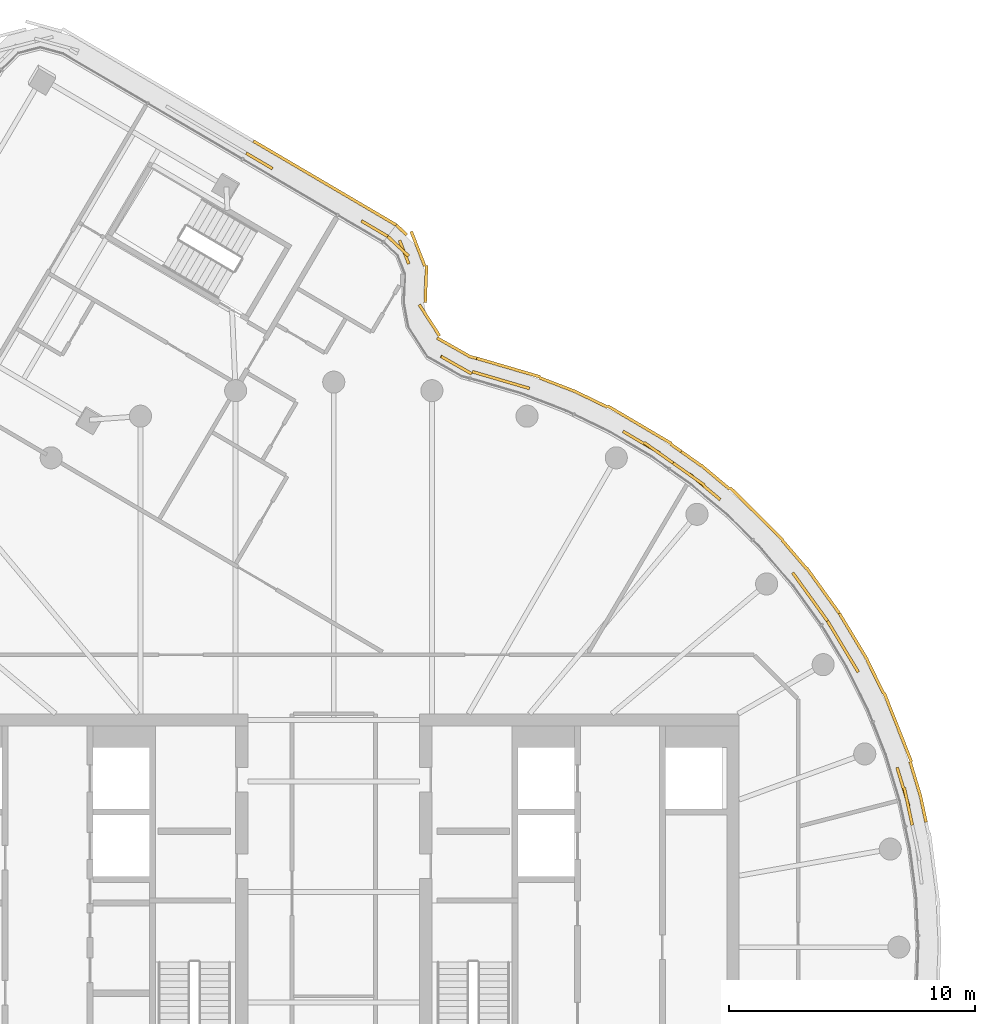
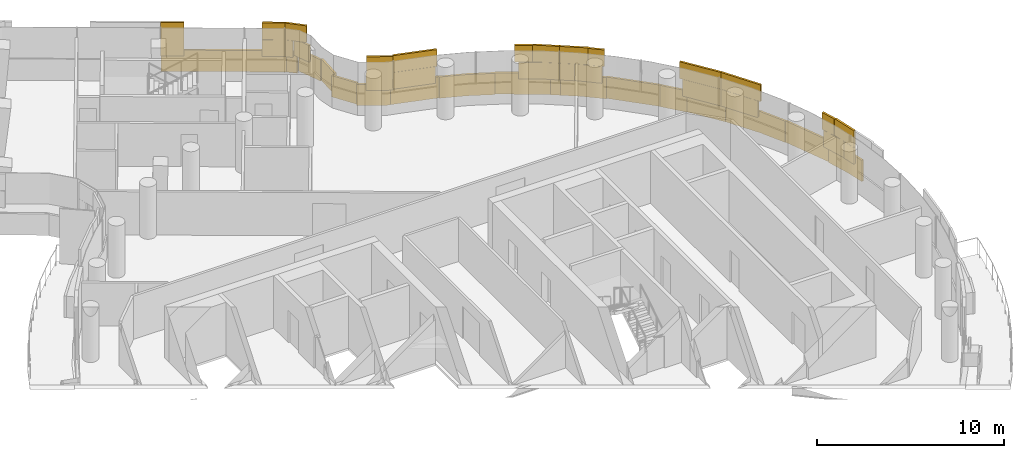
# One storey, part 25 of 26: 5 coverings.
"""IFC4 building model written with IfcOpenShell, lengths in metres."""

from ifc_helpers import new_model, si_unit, direction, frame, origin, origin_2d, place, context, subcontext, project, spatial, rectangle, extrude, material, layer, layer_set, type_object, element, save


model = new_model("IFC4")

# Units and contexts
model_context = context("Model", 3, precision=1e-05, world=origin(), true_north=direction((0.0, 1.0)))
body_context = subcontext(model_context, "Body", "Model", "MODEL_VIEW")
ifc_project = project(units=[si_unit("LENGTHUNIT", "METRE"), si_unit("AREAUNIT", "SQUARE_METRE"), si_unit("VOLUMEUNIT", "CUBIC_METRE"), si_unit("PLANEANGLEUNIT", "RADIAN"), si_unit("MASSUNIT", "GRAM", prefix="KILO")], contexts=[model_context])

# Site, building, storey
site_placement = place(None, origin())
site = spatial("IfcSite", under=ifc_project, at=site_placement, CompositionType="ELEMENT")
building_placement = place(site_placement, origin())
building = spatial("IfcBuilding", under=site, at=building_placement, Name="Tamarind Cross Interchange Tower", CompositionType="ELEMENT")
storey_placement = place(building_placement, frame((0.0, 0.0, 248.699951171875)))
storey = spatial("IfcBuildingStorey", under=building, at=storey_placement, Name="L63", CompositionType="ELEMENT", Elevation=248.699951171875)

# Coverings
ifc_material = material(Name="Terracotta", Category="masonry")
ifc_layer = layer(ifc_material, 0.1201171875)
ifc_layer_set = layer_set([ifc_layer], Name="Terracotta")
covering_type = type_object("IfcCoveringType", Name="Terracotta baguette screen unit", PredefinedType="MOLDING", material=ifc_layer_set)
covering_1_placement = place(storey_placement, origin())
element("IfcCovering", 1, at=covering_1_placement, inside=storey, type_object=covering_type, Name="SCR-L63-01-08", PredefinedType="MOLDING", context=body_context, shape_type="SweptSolid", body=[
    extrude(rectangle(XDim=0.79833984375, YDim=0.1201171875, at=origin_2d()), frame((23.464111328125, 5.356201171875, 1.40380859375), z_axis=(0.0, 0.0, 1.0), x_axis=(-0.209425419705, 0.977824623121, 0.0)), (0.0, 0.0, 1.0), 1.092041015625),
    extrude(rectangle(XDim=1.52001953125, YDim=0.1201171875, at=origin_2d()), frame((23.186767578125, 6.465087890625, 1.40380859375), z_axis=(0.0, 0.0, 1.0), x_axis=(-0.289458243079, 0.957190642199, 0.0)), (0.0, 0.0, 1.0), 1.092041015625),
    extrude(rectangle(XDim=1.52001953125, YDim=0.1201171875, at=origin_2d()), frame((20.875732421875, 11.983154296875, 1.40380859375), z_axis=(0.0, 0.0, 1.0), x_axis=(-0.515577308909, 0.856843065292, 0.0)), (0.0, 0.0, 1.0), 1.092041015625),
    extrude(rectangle(XDim=0.764404296875, YDim=0.1201171875, at=origin_2d()), frame((20.29443359375, 12.948974609375, 1.40380859375), z_axis=(0.0, 0.0, 1.0), x_axis=(-0.515577308909, 0.856843065292, 0.0)), (0.0, 0.0, 1.0), 1.092041015625),
    extrude(rectangle(XDim=0.04833984375, YDim=0.1201171875, at=origin_2d()), frame((23.54248046875, 4.989501953125, 2.50390625), z_axis=(0.0, 0.0, 1.0), x_axis=(-0.209425419705, 0.977824623121, 0.0)), (0.0, 0.0, 1.0), 1.092041015625),
    extrude(rectangle(XDim=1.52001953125, YDim=0.1201171875, at=origin_2d()), frame((23.381591796875, 5.741455078125, 2.50390625), z_axis=(0.0, 0.0, 1.0), x_axis=(-0.209425419705, 0.977824623121, 0.0)), (0.0, 0.0, 1.0), 1.092041015625),
    extrude(rectangle(XDim=0.89306640625, YDim=0.1201171875, at=origin_2d()), frame((23.058837890625, 6.887939453125, 2.50390625), z_axis=(0.0, 0.0, 1.0), x_axis=(-0.289458243079, 0.957190642199, 0.0)), (0.0, 0.0, 1.0), 1.092041015625),
    extrude(rectangle(XDim=0.927001953125, YDim=0.1201171875, at=origin_2d()), frame((21.112060546875, 11.59033203125, 2.50390625), z_axis=(0.0, 0.0, 1.0), x_axis=(-0.515577308909, 0.856843065292, 0.0)), (0.0, 0.0, 1.0), 1.092041015625),
    extrude(rectangle(XDim=1.52001953125, YDim=0.1201171875, at=origin_2d()), frame((20.489013671875, 12.6259765625, 2.50390625), z_axis=(0.0, 0.0, 1.0), x_axis=(-0.515577308909, 0.856843065292, 0.0)), (0.0, 0.0, 1.0), 1.092041015625),
    extrude(rectangle(XDim=1.04736328125, YDim=0.1201171875, at=origin_2d()), frame((23.99853515625, 5.601318359375, 0.00390625), z_axis=(0.0, 0.0, 1.0), x_axis=(-0.209425419705, 0.977824623121, 0.0)), (0.0, 0.0, 1.0), 1.39208984375),
    extrude(rectangle(XDim=1.52001953125, YDim=0.1201171875, at=origin_2d()), frame((23.67822265625, 6.82275390625, 0.00390625), z_axis=(0.0, 0.0, 1.0), x_axis=(-0.289458243079, 0.957190642199, 0.0)), (0.0, 0.0, 1.0), 1.39208984375),
    extrude(rectangle(XDim=1.52001953125, YDim=0.1201171875, at=origin_2d()), frame((23.231689453125, 8.254150390625, 0.00390625), z_axis=(0.0, 0.0, 1.0), x_axis=(-0.367513773146, 0.930018078613, 0.0)), (0.0, 0.0, 1.0), 1.39208984375),
    extrude(rectangle(XDim=1.52001953125, YDim=0.1201171875, at=origin_2d()), frame((22.680419921875, 9.649169921875, 0.00390625), z_axis=(0.0, 0.0, 1.0), x_axis=(-0.367513773146, 0.930018078613, 0.0)), (0.0, 0.0, 1.0), 1.39208984375),
    extrude(rectangle(XDim=1.52001953125, YDim=0.1201171875, at=origin_2d()), frame((22.044677734375, 11.006591796875, 0.00390625), z_axis=(0.0, 0.0, 1.0), x_axis=(-0.443058811505, 0.896492548518, 0.0)), (0.0, 0.0, 1.0), 1.39208984375),
    extrude(rectangle(XDim=1.52001953125, YDim=0.1201171875, at=origin_2d()), frame((21.337890625, 12.328369140625, 0.00390625), z_axis=(0.0, 0.0, 1.0), x_axis=(-0.515577308909, 0.856843065292, 0.0)), (0.0, 0.0, 1.0), 1.39208984375),
    extrude(rectangle(XDim=0.731201171875, YDim=0.1201171875, at=origin_2d()), frame((20.767822265625, 13.275634765625, 0.00390625), z_axis=(0.0, 0.0, 1.0), x_axis=(-0.515577308909, 0.856843065292, 0.0)), (0.0, 0.0, 1.0), 1.39208984375),
])
covering_2_placement = place(storey_placement, origin())
element("IfcCovering", 2, at=covering_2_placement, inside=storey, type_object=covering_type, Name="SCR-L63-01-09", PredefinedType="MOLDING", context=body_context, shape_type="SweptSolid", body=[
    extrude(rectangle(XDim=0.755615234375, YDim=0.1201171875, at=origin_2d()), frame((19.881103515625, 13.57421875, 1.40380859375), z_axis=(0.0, 0.0, 1.0), x_axis=(-0.584573890505, 0.811340475102, 0.0)), (0.0, 0.0, 1.0), 1.092041015625),
    extrude(rectangle(XDim=1.52001953125, YDim=0.1201171875, at=origin_2d()), frame((19.224853515625, 14.485107421875, 1.40380859375), z_axis=(0.0, 0.0, 1.0), x_axis=(-0.584573890505, 0.811340475102, 0.0)), (0.0, 0.0, 1.0), 1.092041015625),
    extrude(rectangle(XDim=1.52001953125, YDim=0.1201171875, at=origin_2d()), frame((15.059326171875, 18.779296875, 1.40380859375), z_axis=(0.0, 0.0, 1.0), x_axis=(-0.765858396687, 0.643009266048, 0.0)), (0.0, 0.0, 1.0), 1.092041015625),
    extrude(rectangle(XDim=0.807861328125, YDim=0.1201171875, at=origin_2d()), frame((14.144287109375, 19.472412109375, 1.40380859375), z_axis=(0.0, 0.0, 1.0), x_axis=(-0.816341886298, 0.577568978284, 0.0)), (0.0, 0.0, 1.0), 1.092041015625),
    extrude(rectangle(XDim=1.505615234375, YDim=0.1201171875, at=origin_2d()), frame((19.661865234375, 13.87841796875, 2.50390625), z_axis=(0.0, 0.0, 1.0), x_axis=(-0.584573890505, 0.811340475102, 0.0)), (0.0, 0.0, 1.0), 1.092041015625),
    extrude(rectangle(XDim=0.93603515625, YDim=0.1201171875, at=origin_2d()), frame((18.9541015625, 14.86083984375, 2.50390625), z_axis=(0.0, 0.0, 1.0), x_axis=(-0.584573890505, 0.811340475102, 0.0)), (0.0, 0.0, 1.0), 1.092041015625),
    extrude(rectangle(XDim=0.8837890625, YDim=0.1201171875, at=origin_2d()), frame((15.39404296875, 18.498291015625, 2.50390625), z_axis=(0.0, 0.0, 1.0), x_axis=(-0.765858396687, 0.643009266048, 0.0)), (0.0, 0.0, 1.0), 1.092041015625),
    extrude(rectangle(XDim=1.52001953125, YDim=0.1201171875, at=origin_2d()), frame((14.469970703125, 19.241943359375, 2.50390625), z_axis=(0.0, 0.0, 1.0), x_axis=(-0.816341886298, 0.577568978284, 0.0)), (0.0, 0.0, 1.0), 1.092041015625),
    extrude(rectangle(XDim=0.057861328125, YDim=0.1201171875, at=origin_2d()), frame((13.838134765625, 19.68896484375, 2.50390625), z_axis=(0.0, 0.0, 1.0), x_axis=(-0.816341886298, 0.577568978284, 0.0)), (0.0, 0.0, 1.0), 1.092041015625),
    extrude(rectangle(XDim=0.788818359375, YDim=0.1201171875, at=origin_2d()), frame((20.347900390625, 13.908203125, 0.00390625), z_axis=(0.0, 0.0, 1.0), x_axis=(-0.584573890505, 0.811340475102, 0.0)), (0.0, 0.0, 1.0), 1.39208984375),
    extrude(rectangle(XDim=1.52001953125, YDim=0.1201171875, at=origin_2d()), frame((19.6845703125, 14.82861328125, 0.00390625), z_axis=(0.0, 0.0, 1.0), x_axis=(-0.584573890505, 0.811340475102, 0.0)), (0.0, 0.0, 1.0), 1.39208984375),
    extrude(rectangle(XDim=1.52001953125, YDim=0.1201171875, at=origin_2d()), frame((18.742431640625, 15.994384765625, 0.00390625), z_axis=(0.0, 0.0, 1.0), x_axis=(-0.64957723968, 0.760295606781, 0.0)), (0.0, 0.0, 1.0), 1.39208984375),
    extrude(rectangle(XDim=1.52001953125, YDim=0.1201171875, at=origin_2d()), frame((17.73974609375, 17.108642578125, 0.00390625), z_axis=(0.0, 0.0, 1.0), x_axis=(-0.710143317658, 0.704057148523, 0.0)), (0.0, 0.0, 1.0), 1.39208984375),
    extrude(rectangle(XDim=1.52001953125, YDim=0.1201171875, at=origin_2d()), frame((16.674560546875, 18.164794921875, 0.00390625), z_axis=(0.0, 0.0, 1.0), x_axis=(-0.710143317658, 0.704057148523, 0.0)), (0.0, 0.0, 1.0), 1.39208984375),
    extrude(rectangle(XDim=1.52001953125, YDim=0.1201171875, at=origin_2d()), frame((15.52978515625, 19.133544921875, 0.00390625), z_axis=(0.0, 0.0, 1.0), x_axis=(-0.765858396687, 0.643009266048, 0.0)), (0.0, 0.0, 1.0), 1.39208984375),
    extrude(rectangle(XDim=0.989990234375, YDim=0.1201171875, at=origin_2d()), frame((14.552490234375, 19.88671875, 0.00390625), z_axis=(0.0, 0.0, 1.0), x_axis=(-0.816341886298, 0.577568978284, 0.0)), (0.0, 0.0, 1.0), 1.39208984375),
])
covering_3_placement = place(storey_placement, origin())
element("IfcCovering", 3, at=covering_3_placement, inside=storey, type_object=covering_type, Name="SCR-L63-01-10", PredefinedType="MOLDING", context=body_context, shape_type="SweptSolid", body=[
    extrude(rectangle(XDim=0.712158203125, YDim=0.1201171875, at=origin_2d()), frame((13.531982421875, 19.905517578125, 1.40380859375), z_axis=(0.0, 0.0, 1.0), x_axis=(-0.816341886298, 0.577568978284, 0.0)), (0.0, 0.0, 1.0), 1.092041015625),
    extrude(rectangle(XDim=1.52001953125, YDim=0.1201171875, at=origin_2d()), frame((12.608154296875, 20.5029296875, 1.40380859375), z_axis=(0.0, 0.0, 1.0), x_axis=(-0.861248933065, 0.508183308752, 0.0)), (0.0, 0.0, 1.0), 1.092041015625),
    extrude(rectangle(XDim=1.52001953125, YDim=0.1201171875, at=origin_2d()), frame((7.162353515625, 22.978515625, 1.40380859375), z_axis=(0.0, 0.0, 1.0), x_axis=(-0.95964657186, 0.281208920763, 0.0)), (0.0, 0.0, 1.0), 1.092041015625),
    extrude(rectangle(XDim=0.84375, YDim=0.1201171875, at=origin_2d()), frame((6.042724609375, 23.306640625, 1.40380859375), z_axis=(0.0, 0.0, 1.0), x_axis=(-0.95964657186, 0.281208920763, 0.0)), (0.0, 0.0, 1.0), 1.092041015625),
    extrude(rectangle(XDim=1.462158203125, YDim=0.1201171875, at=origin_2d()), frame((13.225830078125, 20.1220703125, 2.50390625), z_axis=(0.0, 0.0, 1.0), x_axis=(-0.816341886298, 0.577568978284, 0.0)), (0.0, 0.0, 1.0), 1.092041015625),
    extrude(rectangle(XDim=0.975830078125, YDim=0.1201171875, at=origin_2d()), frame((12.1923828125, 20.748291015625, 2.50390625), z_axis=(0.0, 0.0, 1.0), x_axis=(-0.861248933065, 0.508183308752, 0.0)), (0.0, 0.0, 1.0), 1.092041015625),
    extrude(rectangle(XDim=0.84423828125, YDim=0.1201171875, at=origin_2d()), frame((7.562744140625, 22.861328125, 2.50390625), z_axis=(0.0, 0.0, 1.0), x_axis=(-0.95964657186, 0.281208920763, 0.0)), (0.0, 0.0, 1.0), 1.092041015625),
    extrude(rectangle(XDim=1.52001953125, YDim=0.1201171875, at=origin_2d()), frame((6.442626953125, 23.189453125, 2.50390625), z_axis=(0.0, 0.0, 1.0), x_axis=(-0.95964657186, 0.281208920763, 0.0)), (0.0, 0.0, 1.0), 1.092041015625),
    extrude(rectangle(XDim=0.09375, YDim=0.1201171875, at=origin_2d()), frame((5.681884765625, 23.408935546875, 2.50390625), z_axis=(0.0, 0.0, 1.0), x_axis=(-0.966325830551, 0.257321567714, 0.0)), (0.0, 0.0, 1.0), 1.092041015625),
    extrude(rectangle(XDim=0.52978515625, YDim=0.1201171875, at=origin_2d()), frame((13.931884765625, 20.32568359375, 0.00390625), z_axis=(0.0, 0.0, 1.0), x_axis=(-0.816341886298, 0.577568978284, 0.0)), (0.0, 0.0, 1.0), 1.39208984375),
    extrude(rectangle(XDim=1.52001953125, YDim=0.1201171875, at=origin_2d()), frame((13.095703125, 20.8818359375, 0.00390625), z_axis=(0.0, 0.0, 1.0), x_axis=(-0.861248933065, 0.508183308752, 0.0)), (0.0, 0.0, 1.0), 1.39208984375),
    extrude(rectangle(XDim=1.52001953125, YDim=0.1201171875, at=origin_2d()), frame((11.803955078125, 21.64404296875, 0.00390625), z_axis=(0.0, 0.0, 1.0), x_axis=(-0.861248933065, 0.508183308752, 0.0)), (0.0, 0.0, 1.0), 1.39208984375),
    extrude(rectangle(XDim=1.52001953125, YDim=0.1201171875, at=origin_2d()), frame((10.460693359375, 22.310546875, 0.00390625), z_axis=(0.0, 0.0, 1.0), x_axis=(-0.900272776334, 0.435326231914, 0.0)), (0.0, 0.0, 1.0), 1.39208984375),
    extrude(rectangle(XDim=1.52001953125, YDim=0.1201171875, at=origin_2d()), frame((9.0849609375, 22.90478515625, 0.00390625), z_axis=(0.0, 0.0, 1.0), x_axis=(-0.933146843667, 0.359495435512, 0.0)), (0.0, 0.0, 1.0), 1.39208984375),
    extrude(rectangle(XDim=1.52001953125, YDim=0.1201171875, at=origin_2d()), frame((7.6787109375, 23.42529296875, 0.00390625), z_axis=(0.0, 0.0, 1.0), x_axis=(-0.95964657186, 0.281208920763, 0.0)), (0.0, 0.0, 1.0), 1.39208984375),
    extrude(rectangle(XDim=1.197265625, YDim=0.1201171875, at=origin_2d()), frame((6.394287109375, 23.8017578125, 0.00390625), z_axis=(0.0, 0.0, 1.0), x_axis=(-0.95964657186, 0.281208920763, 0.0)), (0.0, 0.0, 1.0), 1.39208984375),
])
covering_4_placement = place(storey_placement, origin())
element("IfcCovering", 4, at=covering_4_placement, inside=storey, type_object=covering_type, Name="SCR-L63-01-11", PredefinedType="MOLDING", context=body_context, shape_type="SweptSolid", body=[
    extrude(rectangle(XDim=0.67626953125, YDim=0.1201171875, at=origin_2d()), frame((5.31982421875, 23.506103515625, 1.40380859375), z_axis=(0.0, 0.0, 1.0), x_axis=(-0.869878003409, 0.493266924885, 0.0)), (0.0, 0.0, 1.0), 1.092041015625),
    extrude(rectangle(XDim=0.788330078125, YDim=0.1201171875, at=origin_2d()), frame((4.69140625, 23.8623046875, 1.40380859375), z_axis=(0.0, 0.0, 1.0), x_axis=(-0.869878003409, 0.493266924885, 0.0)), (0.0, 0.0, 1.0), 1.092041015625),
    extrude(rectangle(XDim=1.03173828125, YDim=0.1201171875, at=origin_2d()), frame((2.86669921875, 28.29052734375, 1.40380859375), z_axis=(0.0, 0.0, 1.0), x_axis=(-0.363923830916, 0.931428711868, 0.0)), (0.0, 0.0, 1.0), 1.092041015625),
    extrude(rectangle(XDim=0.432861328125, YDim=0.1201171875, at=origin_2d()), frame((2.34765625, 28.7900390625, 1.40380859375), z_axis=(0.0, 0.0, 1.0), x_axis=(-0.729162023692, 0.684341101502, 0.0)), (0.0, 0.0, 1.0), 1.092041015625),
    extrude(rectangle(XDim=1.42626953125, YDim=0.1201171875, at=origin_2d()), frame((4.99365234375, 23.69091796875, 2.50390625), z_axis=(0.0, 0.0, 1.0), x_axis=(-0.869878003409, 0.493266924885, 0.0)), (0.0, 0.0, 1.0), 1.092041015625),
    extrude(rectangle(XDim=1.182861328125, YDim=0.1201171875, at=origin_2d()), frame((2.62109375, 28.533447265625, 2.50390625), z_axis=(0.0, 0.0, 1.0), x_axis=(-0.729162023692, 0.684341101502, 0.0)), (0.0, 0.0, 1.0), 1.092041015625),
    extrude(rectangle(XDim=0.32275390625, YDim=0.1201171875, at=origin_2d()), frame((5.662841796875, 24.008056640625, 0.00390625), z_axis=(0.0, 0.0, 1.0), x_axis=(-0.966325830551, 0.257321567714, 0.0)), (0.0, 0.0, 1.0), 1.39208984375),
    extrude(rectangle(XDim=1.52001953125, YDim=0.1201171875, at=origin_2d()), frame((4.866455078125, 24.4228515625, 0.00390625), z_axis=(0.0, 0.0, 1.0), x_axis=(-0.869878003409, 0.493266924885, 0.0)), (0.0, 0.0, 1.0), 1.39208984375),
    extrude(rectangle(XDim=1.52001953125, YDim=0.1201171875, at=origin_2d()), frame((3.893798828125, 25.51513671875, 0.00390625), z_axis=(0.0, 0.0, 1.0), x_axis=(-0.543719455393, 0.839267033683, 0.0)), (0.0, 0.0, 1.0), 1.39208984375),
    extrude(rectangle(XDim=1.52001953125, YDim=0.1201171875, at=origin_2d()), frame((3.7509765625, 26.9912109375, 0.00390625), z_axis=(0.0, 0.0, 1.0), x_axis=(0.037791910328, 0.999285630595, 0.0)), (0.0, 0.0, 1.0), 1.39208984375),
    extrude(rectangle(XDim=1.52001953125, YDim=0.1201171875, at=origin_2d()), frame((3.4296875, 28.42626953125, 0.00390625), z_axis=(0.0, 0.0, 1.0), x_axis=(-0.363923830916, 0.931428711868, 0.0)), (0.0, 0.0, 1.0), 1.39208984375),
    extrude(rectangle(XDim=0.595703125, YDim=0.1201171875, at=origin_2d()), frame((2.7568359375, 29.193359375, 0.00390625), z_axis=(0.0, 0.0, 1.0), x_axis=(-0.729162023692, 0.684341101502, 0.0)), (0.0, 0.0, 1.0), 1.39208984375),
])
covering_5_placement = place(storey_placement, origin())
element("IfcCovering", 5, at=covering_5_placement, inside=storey, type_object=covering_type, Name="SCR-L63-02-00", PredefinedType="MOLDING", context=body_context, shape_type="SweptSolid", body=[
    extrude(rectangle(XDim=0.760009765625, YDim=0.1201171875, at=origin_2d()), frame((1.870361328125, 29.124755859375, 1.40380859375), z_axis=(0.0, 0.0, 1.0), x_axis=(-0.862103583695, 0.506732089945, 0.0)), (0.0, 0.0, 1.0), 1.092041015625),
    extrude(rectangle(XDim=0.498291015625, YDim=0.1201171875, at=origin_2d()), frame((1.33642578125, 29.4384765625, 1.40380859375), z_axis=(0.0, 0.0, 1.0), x_axis=(-0.862103583695, 0.506732089945, 0.0)), (0.0, 0.0, 1.0), 1.092041015625),
    extrude(rectangle(XDim=1.23828125, YDim=0.1201171875, at=origin_2d()), frame((-3.028564453125, 32.004150390625, 1.40380859375), z_axis=(0.0, 0.0, 1.0), x_axis=(-0.862103583695, 0.506732089945, 0.0)), (0.0, 0.0, 1.0), 1.092041015625),
    extrude(rectangle(XDim=1.23828125, YDim=0.1201171875, at=origin_2d()), frame((1.659912109375, 29.24853515625, 2.50390625), z_axis=(0.0, 0.0, 1.0), x_axis=(-0.862103583695, 0.506732089945, 0.0)), (0.0, 0.0, 1.0), 1.092041015625),
    extrude(rectangle(XDim=0.57177734375, YDim=0.1201171875, at=origin_2d()), frame((-2.73681640625, 31.832763671875, 2.50390625), z_axis=(0.0, 0.0, 1.0), x_axis=(-0.862103583695, 0.506732089945, 0.0)), (0.0, 0.0, 1.0), 1.092041015625),
    extrude(rectangle(XDim=0.6865234375, YDim=0.1201171875, at=origin_2d()), frame((-3.270751953125, 32.146484375, 2.50390625), z_axis=(0.0, 0.0, 1.0), x_axis=(-0.862103583695, 0.506732089945, 0.0)), (0.0, 0.0, 1.0), 1.092041015625),
    extrude(rectangle(XDim=0.760009765625, YDim=0.1201171875, at=origin_2d()), frame((2.212158203125, 29.589599609375, 0.00390625), z_axis=(0.0, 0.0, 1.0), x_axis=(-0.862103583695, 0.506732089945, 0.0)), (0.0, 0.0, 1.0), 1.39208984375),
    extrude(rectangle(XDim=1.52001953125, YDim=0.1201171875, at=origin_2d()), frame((1.24658203125, 30.1572265625, 0.00390625), z_axis=(0.0, 0.0, 1.0), x_axis=(-0.862103583695, 0.506732089945, 0.0)), (0.0, 0.0, 1.0), 1.39208984375),
    extrude(rectangle(XDim=1.52001953125, YDim=0.1201171875, at=origin_2d()), frame((-0.046630859375, 30.917236328125, 0.00390625), z_axis=(0.0, 0.0, 1.0), x_axis=(-0.862103583695, 0.506732089945, 0.0)), (0.0, 0.0, 1.0), 1.39208984375),
    extrude(rectangle(XDim=1.52001953125, YDim=0.1201171875, at=origin_2d()), frame((-1.33984375, 31.677490234375, 0.00390625), z_axis=(0.0, 0.0, 1.0), x_axis=(-0.862103583695, 0.506732089945, 0.0)), (0.0, 0.0, 1.0), 1.39208984375),
    extrude(rectangle(XDim=1.498046875, YDim=0.1201171875, at=origin_2d()), frame((-2.62353515625, 32.431884765625, 0.00390625), z_axis=(0.0, 0.0, 1.0), x_axis=(-0.862103583695, 0.506732089945, 0.0)), (0.0, 0.0, 1.0), 1.39208984375),
])

save(model, "model.ifc")
